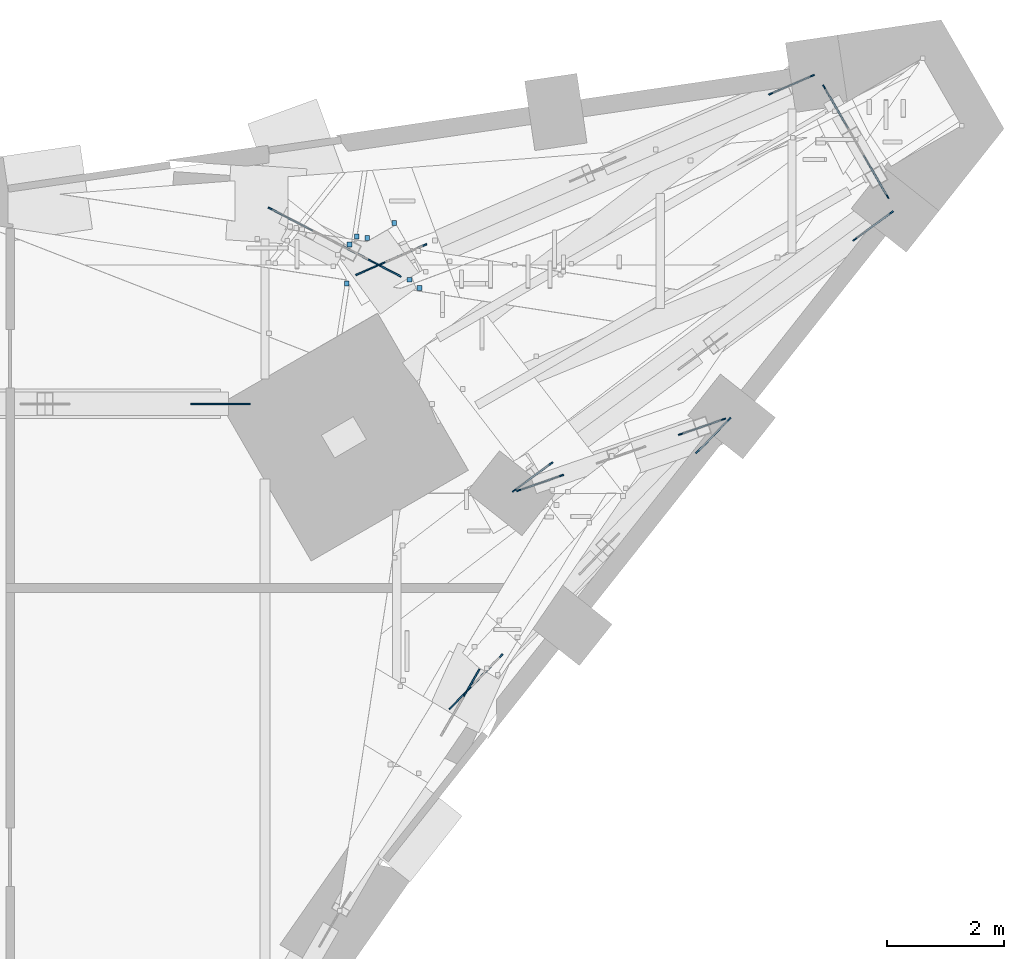
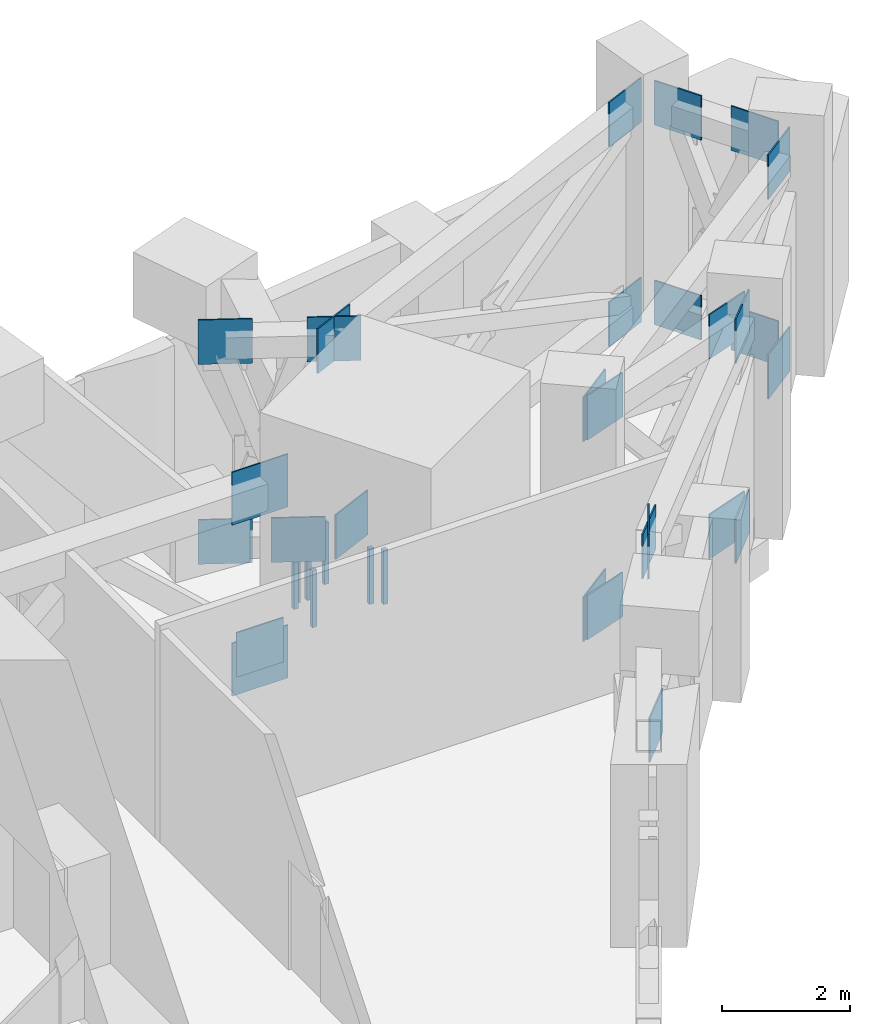
# One storey, part 16 of 22: 35 discrete accessories.
"""IFC4 building model written with IfcOpenShell, lengths in metres."""

from ifc_helpers import new_model, si_unit, direction, frame, origin, origin_2d, place, context, subcontext, project, spatial, rectangle, extrude, material, type_object, element, save


model = new_model("IFC4")

# Units and contexts
model_context = context("Model", 3, precision=1e-05, world=origin(), true_north=direction((0.0, 1.0)))
body_context = subcontext(model_context, "Body", "Model", "MODEL_VIEW")
ifc_project = project(units=[si_unit("LENGTHUNIT", "METRE"), si_unit("AREAUNIT", "SQUARE_METRE"), si_unit("VOLUMEUNIT", "CUBIC_METRE"), si_unit("PLANEANGLEUNIT", "RADIAN"), si_unit("MASSUNIT", "GRAM", prefix="KILO")], contexts=[model_context])

# Site, building, storey
site_placement = place(None, origin())
site = spatial("IfcSite", under=ifc_project, at=site_placement, CompositionType="ELEMENT")
building_placement = place(site_placement, origin())
building = spatial("IfcBuilding", under=site, at=building_placement, Name="Calabash Gate Tower", CompositionType="ELEMENT")
storey_placement = place(building_placement, frame((0.0, 0.0, 86.800048828125)))
storey = spatial("IfcBuildingStorey", under=building, at=storey_placement, Name="L18", CompositionType="ELEMENT", Elevation=86.800048828125)

# Discrete accessories
ifc_material_1 = material(Name="Steel ASTM A572 Gr50", Category="steel")
discrete_accessory_type_1 = type_object("IfcDiscreteAccessoryType", Name="Connection plate 25", PredefinedType="BRACKET", material=ifc_material_1)
for number, where, z_axis, x_axis, name in (
    (1, (28.199951171875, 10.739013671875, 3.6015625), (0.0, 0.0, 1.0), (0.499985519765, 0.86603376379, 0.0), "Connection plate Belt chord L18 57 end"),
    (2, (28.51123046875, 11.059814453125, -0.22216796875), (0.0, 0.0, 1.0), (0.694061889616, 0.719915337649, 0.0), "Connection plate Belt chord L18 61 start"),
    (3, (32.405029296875, 15.0986328125, -0.22216796875), (0.0, 0.0, 1.0), (0.694061889616, 0.719915337649, 0.0), "Connection plate Belt chord L18 61 end"),
    (4, (28.194091796875, 10.72998046875, 3.6015625), (0.0, 0.0, 1.0), (0.694000696081, 0.719974328598, 0.0), "Connection plate Belt chord L18 62 start"),
    (5, (32.405029296875, 15.0986328125, 3.6015625), (0.0, 0.0, 1.0), (0.694000696081, 0.719974328598, 0.0), "Connection plate Belt chord L18 62 end"),
    (6, (32.21484375, 15.249267578125, -0.22216796875), (0.0, 0.0, 1.0), (-0.944636786911, -0.328117876403, 0.0), "Connection plate Belt chord L18 66 start"),
    (7, (29.44921875, 14.28857421875, -0.22216796875), (0.0, 0.0, 1.0), (-0.944636786911, -0.328117876403, 0.0), "Connection plate Belt chord L18 66 end"),
    (8, (32.21484375, 15.249267578125, 3.6015625), (0.0, 0.0, 1.0), (-0.944636786911, -0.328117876403, 0.0), "Connection plate Belt chord L18 67 start"),
    (9, (29.44921875, 14.28857421875, 3.6015625), (0.0, 0.0, 1.0), (-0.944636786911, -0.328117876403, 0.0), "Connection plate Belt chord L18 67 end"),
    (10, (29.32080078125, 14.390380859375, -0.22216796875), (0.0, 0.0, 1.0), (0.804879628595, 0.593438104163, 0.0), "Connection plate Belt chord L18 71 start"),
    (11, (35.135009765625, 18.677001953125, -0.22216796875), (0.0, 0.0, 1.0), (0.804879628595, 0.593438104163, 0.0), "Connection plate Belt chord L18 71 end"),
    (12, (29.32080078125, 14.390380859375, 3.6015625), (0.0, 0.0, 1.0), (0.804879628595, 0.593438104163, 0.0), "Connection plate Belt chord L18 72 start"),
    (13, (35.135009765625, 18.677001953125, 3.6015625), (0.0, 0.0, 1.0), (0.804879628595, 0.593438104163, 0.0), "Connection plate Belt chord L18 72 end"),
    (14, (35.1875, 19.512939453125, -0.22216796875), (0.0, 0.0, 1.0), (-0.500000136035, 0.866025325245, 0.0), "Connection plate Belt chord L18 76 start"),
    (15, (34.492431640625, 20.716796875, -0.22216796875), (0.0, 0.0, 1.0), (-0.500000136035, 0.866025325245, 0.0), "Connection plate Belt chord L18 76 end"),
    (16, (35.1875, 19.512939453125, 3.6015625), (0.0, 0.0, 1.0), (-0.500000136035, 0.866025325245, 0.0), "Connection plate Belt chord L18 77 start"),
    (17, (34.492431640625, 20.716796875, 3.6015625), (0.0, 0.0, 1.0), (-0.500000136035, 0.866025325245, 0.0), "Connection plate Belt chord L18 77 end"),
    (18, (33.7421875, 21.089111328125, -0.22216796875), (0.0, 0.0, 1.0), (-0.916372357947, -0.400326993334, 0.0), "Connection plate Belt chord L18 81 start"),
    (19, (27.122802734375, 18.197265625, -0.22216796875), (0.0, 0.0, 1.0), (-0.916372357947, -0.400326993334, 0.0), "Connection plate Belt chord L18 81 end"),
    (20, (33.7421875, 21.089111328125, 3.6015625), (0.0, 0.0, 1.0), (-0.916385164693, -0.40029767665, 0.0), "Connection plate Belt chord L18 82 start"),
    (21, (26.69091796875, 18.009033203125, 3.6015625), (0.0, 0.0, 1.0), (-0.916385164693, -0.40029767665, 0.0), "Connection plate Belt chord L18 82 end"),
    (22, (26.202880859375, 18.2666015625, -0.22216796875), (0.0, 0.0, 1.0), (-0.887185827756, 0.461412296139, 0.0), "Connection plate Belt chord L18 86 start"),
    (23, (25.18408203125, 18.79638671875, -0.22216796875), (0.0, 0.0, 1.0), (-0.887185827756, 0.461412296139, 0.0), "Connection plate Belt chord L18 86 end"),
    (24, (26.698974609375, 18.008056640625, 3.6015625), (0.0, 0.0, 1.0), (-0.887030037088, 0.461711720994, 0.0), "Connection plate Belt chord L18 87 start"),
    (25, (25.18408203125, 18.79638671875, 3.6015625), (0.0, 0.0, 1.0), (-0.887030037088, 0.461711720994, 0.0), "Connection plate Belt chord L18 87 end"),
):
    element("IfcDiscreteAccessory", number, at=place(storey_placement, frame(where, z_axis=z_axis, x_axis=x_axis)), inside=storey, type_object=discrete_accessory_type_1, Name=name, PredefinedType="BRACKET", context=body_context, shape_type="SweptSolid", body=[
        extrude(rectangle(XDim=0.850341796875, YDim=0.02490234375, at=origin_2d()), origin(), (0.0, 0.0, 1.0), 0.850341796875),
    ])
for number, where, z_axis, x_axis, name in (
    (26, (23.989501953125, 15.64013671875, -0.25244140625), (0.0, 0.0, 1.0), (-1.0, 0.0, 0.0), "Connection plate Outrigger chord L18 NE start"),
    (27, (23.989501953125, 15.64013671875, 3.01953125), (0.0, 0.0, 1.0), (-1.0, 0.0, 0.0), "Connection plate Outrigger chord L18 NE start"),
):
    element("IfcDiscreteAccessory", number, at=place(storey_placement, frame(where, z_axis=z_axis, x_axis=x_axis)), inside=storey, type_object=discrete_accessory_type_1, Name=name, PredefinedType="BRACKET", context=body_context, shape_type="SweptSolid", body=[
        extrude(rectangle(XDim=1.0126953125, YDim=0.02490234375, at=origin_2d()), origin(), (0.0, 0.0, 1.0), 1.0126953125),
    ])
discrete_accessory_1_placement = place(storey_placement, frame((23.989501953125, 15.64013671875, 0.0830078125), z_axis=(0.0, 0.0, 1.0), x_axis=(-1.0, 0.0, 0.0)))
element("IfcDiscreteAccessory", 28, at=discrete_accessory_1_placement, inside=storey, type_object=discrete_accessory_type_1, Name="Connection plate Outrigger diagonal L18 NE start", PredefinedType="BRACKET", context=body_context, shape_type="SweptSolid", body=[
    extrude(rectangle(XDim=0.850341796875, YDim=0.02490234375, at=origin_2d()), origin(), (0.0, 0.0, 1.0), 0.850341796875),
])
ifc_material_2 = material(Name="Stainless steel 316 bracket", Category="steel")
discrete_accessory_type_2 = type_object("IfcDiscreteAccessoryType", Name="Soffit bracket 80x80x120", PredefinedType="BRACKET", material=ifc_material_2)
discrete_accessory_2_placement = place(storey_placement, frame((26.956787109375, 18.726806640625, -1.1787109375), z_axis=(0.0, 0.0, 1.0), x_axis=(1.0, 0.0, 0.0)))
element("IfcDiscreteAccessory", 29, at=discrete_accessory_2_placement, inside=storey, type_object=discrete_accessory_type_2, Name="Soffit bracket Z2 NE SOF-Z2-NE-23", PredefinedType="BRACKET", context=body_context, shape_type="SweptSolid", body=[
    extrude(rectangle(XDim=0.080078125, YDim=0.080078125, at=origin_2d()), origin(), (0.0, 0.0, 1.0), 1.1806640625),
])
discrete_accessory_3_placement = place(storey_placement, frame((26.498291015625, 18.470703125, -1.166015625), z_axis=(0.0, 0.0, 1.0), x_axis=(1.0, 0.0, 0.0)))
element("IfcDiscreteAccessory", 30, at=discrete_accessory_3_placement, inside=storey, type_object=discrete_accessory_type_2, Name="Soffit bracket Z2 NE SOF-Z2-NE-34", PredefinedType="BRACKET", context=body_context, shape_type="SweptSolid", body=[
    extrude(rectangle(XDim=0.080078125, YDim=0.080078125, at=origin_2d()), origin(), (0.0, 0.0, 1.0), 1.168212890625),
])
discrete_accessory_4_placement = place(storey_placement, frame((27.389404296875, 17.618408203125, -1.0380859375), z_axis=(0.0, 0.0, 1.0), x_axis=(1.0, 0.0, 0.0)))
element("IfcDiscreteAccessory", 31, at=discrete_accessory_4_placement, inside=storey, type_object=discrete_accessory_type_2, Name="Soffit bracket Z2 NE SOF-Z2-NE-41", PredefinedType="BRACKET", context=body_context, shape_type="SweptSolid", body=[
    extrude(rectangle(XDim=0.080078125, YDim=0.080078125, at=origin_2d()), origin(), (0.0, 0.0, 1.0), 1.0400390625),
])
discrete_accessory_5_placement = place(storey_placement, frame((26.31689453125, 18.49853515625, -1.17578125), z_axis=(0.0, 0.0, 1.0), x_axis=(1.0, 0.0, 0.0)))
element("IfcDiscreteAccessory", 32, at=discrete_accessory_5_placement, inside=storey, type_object=discrete_accessory_type_2, Name="Soffit bracket Z2 NE SOF-Z2-NE-50", PredefinedType="BRACKET", context=body_context, shape_type="SweptSolid", body=[
    extrude(rectangle(XDim=0.080078125, YDim=0.080078125, at=origin_2d()), origin(), (0.0, 0.0, 1.0), 1.177734375),
])
discrete_accessory_6_placement = place(storey_placement, frame((26.14453125, 17.695556640625, -1.09130859375), z_axis=(0.0, 0.0, 1.0), x_axis=(1.0, 0.0, 0.0)))
element("IfcDiscreteAccessory", 33, at=discrete_accessory_6_placement, inside=storey, type_object=discrete_accessory_type_2, Name="Soffit bracket Z2 NE SOF-Z2-NE-57", PredefinedType="BRACKET", context=body_context, shape_type="SweptSolid", body=[
    extrude(rectangle(XDim=0.080078125, YDim=0.080078125, at=origin_2d()), origin(), (0.0, 0.0, 1.0), 1.09326171875),
])
discrete_accessory_7_placement = place(storey_placement, frame((27.217041015625, 17.757080078125, -1.06005859375), z_axis=(0.0, 0.0, 1.0), x_axis=(1.0, 0.0, 0.0)))
element("IfcDiscreteAccessory", 34, at=discrete_accessory_7_placement, inside=storey, type_object=discrete_accessory_type_2, Name="Soffit bracket Z2 NE SOF-Z2-NE-65", PredefinedType="BRACKET", context=body_context, shape_type="SweptSolid", body=[
    extrude(rectangle(XDim=0.080078125, YDim=0.080078125, at=origin_2d()), origin(), (0.0, 0.0, 1.0), 1.061767578125),
])
discrete_accessory_8_placement = place(storey_placement, frame((26.19482421875, 18.36083984375, -1.16455078125), z_axis=(0.0, 0.0, 1.0), x_axis=(1.0, 0.0, 0.0)))
element("IfcDiscreteAccessory", 35, at=discrete_accessory_8_placement, inside=storey, type_object=discrete_accessory_type_2, Name="Soffit bracket Z2 NE SOF-Z2-NE-67", PredefinedType="BRACKET", context=body_context, shape_type="SweptSolid", body=[
    extrude(rectangle(XDim=0.080078125, YDim=0.080078125, at=origin_2d()), origin(), (0.0, 0.0, 1.0), 1.16650390625),
])

save(model, "model.ifc")
